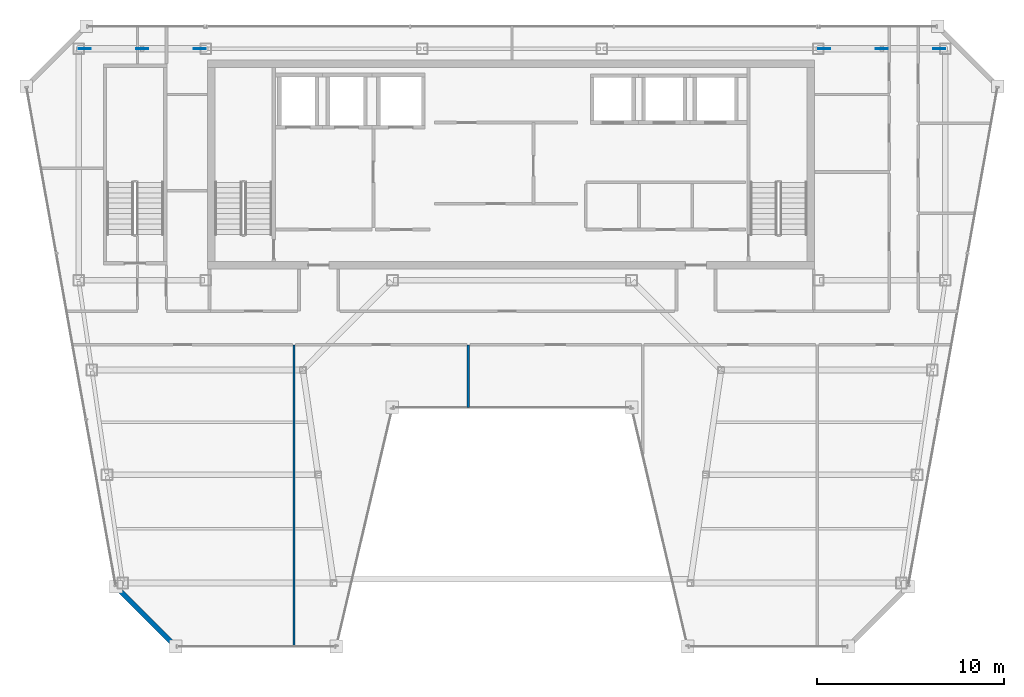
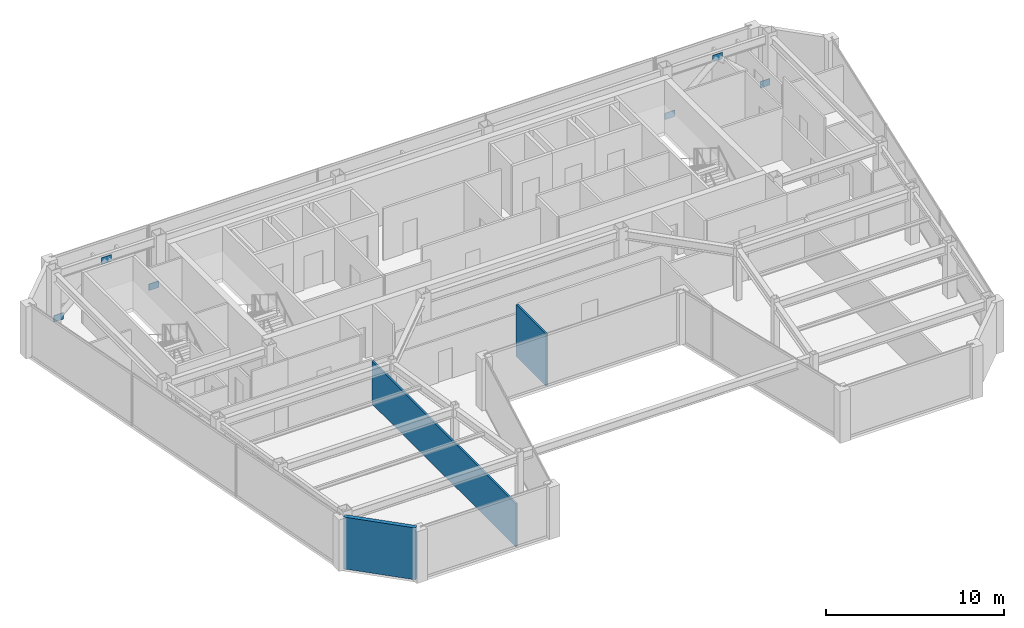
# One storey, part 26 of 32: 6 plates, 3 walls.
"""IFC4 building model written with IfcOpenShell, lengths in metres."""

from ifc_helpers import new_model, si_unit, direction, frame, frame_2d, origin, origin_2d, place, context, subcontext, project, spatial, rectangle, extrude, material, layer, layer_set, type_object, element, save


model = new_model("IFC4")

# Units and contexts
model_context = context("Model", 3, precision=1e-05, world=origin(), true_north=direction((0.0, 1.0)))
body_context = subcontext(model_context, "Body", "Model", "MODEL_VIEW")
ifc_project = project(units=[si_unit("LENGTHUNIT", "METRE"), si_unit("AREAUNIT", "SQUARE_METRE"), si_unit("VOLUMEUNIT", "CUBIC_METRE"), si_unit("PLANEANGLEUNIT", "RADIAN"), si_unit("MASSUNIT", "GRAM", prefix="KILO")], contexts=[model_context])

# Site, building, storey
site_placement = place(None, origin())
site = spatial("IfcSite", under=ifc_project, at=site_placement, CompositionType="ELEMENT")
building_placement = place(site_placement, origin())
building = spatial("IfcBuilding", under=site, at=building_placement, Name="Saevonmaru Cultural Tower", CompositionType="ELEMENT")
storey_placement = place(building_placement, frame((0.0, 0.0, 264.800048828125)))
storey = spatial("IfcBuildingStorey", under=building, at=storey_placement, Name="L62", CompositionType="ELEMENT", Elevation=264.800048828125)

# Plates
ifc_material_1 = material(Name="Steel HSA600 (600 MPa)", Category="steel")
ifc_layer_1 = layer(ifc_material_1, 0.0400390625, Name="Steel HSA600 (600 MPa)")
ifc_layer_set_1 = layer_set([ifc_layer_1], Name="Steel HSA600 (600 MPa)")
plate_type = type_object("IfcPlateType", Name="PL-GUSSET-EXT", PredefinedType="USERDEFINED", material=ifc_layer_set_1)
for number, where, z_axis, x_axis, name in (
    (1, (10.199951171875, 54.800048828125, 2.89990234375), (0.0, 0.0, 1.0), (1.0, 0.0, 0.0), "L62 Perimeter Tube Gusset Plate"),
    (2, (7.1201171875, 54.800048828125, 0.02001953125), (0.0, 0.0, 1.0), (1.0, 0.0, 0.0), "L62 Perimeter Tube Gusset Plate"),
    (3, (13.280029296875, 54.800048828125, 0.02001953125), (0.0, 0.0, 1.0), (1.0, 0.0, 0.0), "L62 Perimeter Tube Gusset Plate"),
    (4, (49.800048828125, 54.800048828125, 2.89990234375), (0.0, 0.0, 1.0), (1.0, 0.0, 0.0), "L62 Perimeter Tube Gusset Plate"),
    (5, (46.719970703125, 54.800048828125, 0.02001953125), (0.0, 0.0, 1.0), (1.0, 0.0, 0.0), "L62 Perimeter Tube Gusset Plate"),
    (6, (52.8798828125, 54.800048828125, 0.02001953125), (0.0, 0.0, 1.0), (1.0, 0.0, 0.0), "L62 Perimeter Tube Gusset Plate"),
):
    element("IfcPlate", number, at=place(storey_placement, frame(where, z_axis=z_axis, x_axis=x_axis)), inside=storey, type_object=plate_type, Name=name, ObjectType="GUSSET_PLATE", PredefinedType="USERDEFINED", context=body_context, shape_type="SweptSolid", body=[
        extrude(rectangle(XDim=0.639892578125, YDim=0.0400390625, at=origin_2d()), origin(), (0.0, 0.0, 1.0), 0.43994140625),
    ])

# Walls
ifc_material_2 = material(Name="Granite-Clad Precast Concrete C40/50", Category="masonry")
ifc_layer_2 = layer(ifc_material_2, 0.260009765625, Name="Granite-Clad Precast Concrete C40/50")
ifc_layer_set_2 = layer_set([ifc_layer_2], Name="Granite-Clad Precast Concrete C40/50")
wall_type_1 = type_object("IfcWallType", Name="WL-EXT-SPANDREL-260", PredefinedType="STANDARD", material=ifc_layer_set_2)
wall_1_placement = place(storey_placement, frame((8.90869140625, 25.886962890625, 0.0), z_axis=(0.0, 0.0, 1.0), x_axis=(0.707106781187, -0.707106781187, 0.0)))
element("IfcWall", 7, at=wall_1_placement, inside=storey, type_object=wall_type_1, Name="L62 Chamfer Corner Spandrel Wall E1", PredefinedType="STANDARD", context=body_context, shape_type="SweptSolid", body=[
    extrude(rectangle(XDim=4.205810546875, YDim=0.260009765625, at=frame_2d((2.10302734375, 0.0))), origin(), (0.0, 0.0, 1.0), 3.550048828125),
])
ifc_material_3 = material(Name="Gypsum Fireboard Partition", Category="gypsum")
ifc_layer_3 = layer(ifc_material_3, 0.1201171875, Name="Gypsum Fireboard Partition")
ifc_layer_set_3 = layer_set([ifc_layer_3], Name="Gypsum Fireboard Partition")
wall_type_2 = type_object("IfcWallType", Name="WL-PART-GYP-120", PredefinedType="PARTITIONING", material=ifc_layer_set_3)
wall_2_placement = place(storey_placement, frame((18.330078125, 22.804931640625, 0.0), z_axis=(0.0, 0.0, 1.0), x_axis=(0.0, 1.0, 0.0)))
element("IfcWall", 8, at=wall_2_placement, inside=storey, type_object=wall_type_2, Name="L62 Observatory Bay Divider 1", PredefinedType="PARTITIONING", context=body_context, shape_type="SweptSolid", body=[
    extrude(rectangle(XDim=16.14501953125, YDim=0.1201171875, at=frame_2d((8.072509765625, 0.0))), origin(), (0.0, 0.0, 1.0), 2.947021484375),
])
ifc_layer_4 = layer(ifc_material_3, 0.135009765625, Name="Gypsum Fireboard Partition")
ifc_layer_set_4 = layer_set([ifc_layer_4], Name="Gypsum Fireboard Partition")
wall_type_3 = type_object("IfcWallType", Name="WL-PART-GYP-135", PredefinedType="PARTITIONING", material=ifc_layer_set_4)
wall_3_placement = place(storey_placement, frame((27.669921875, 35.60498046875, 0.0), z_axis=(0.0, 0.0, 1.0), x_axis=(0.0, 1.0, 0.0)))
element("IfcWall", 9, at=wall_3_placement, inside=storey, type_object=wall_type_3, Name="L62 Observatory Bay Divider 2", PredefinedType="PARTITIONING", context=body_context, shape_type="SweptSolid", body=[
    extrude(rectangle(XDim=3.344970703125, YDim=0.135009765625, at=frame_2d((1.67236328125, 0.0))), origin(), (0.0, 0.0, 1.0), 3.550048828125),
])

save(model, "model.ifc")
